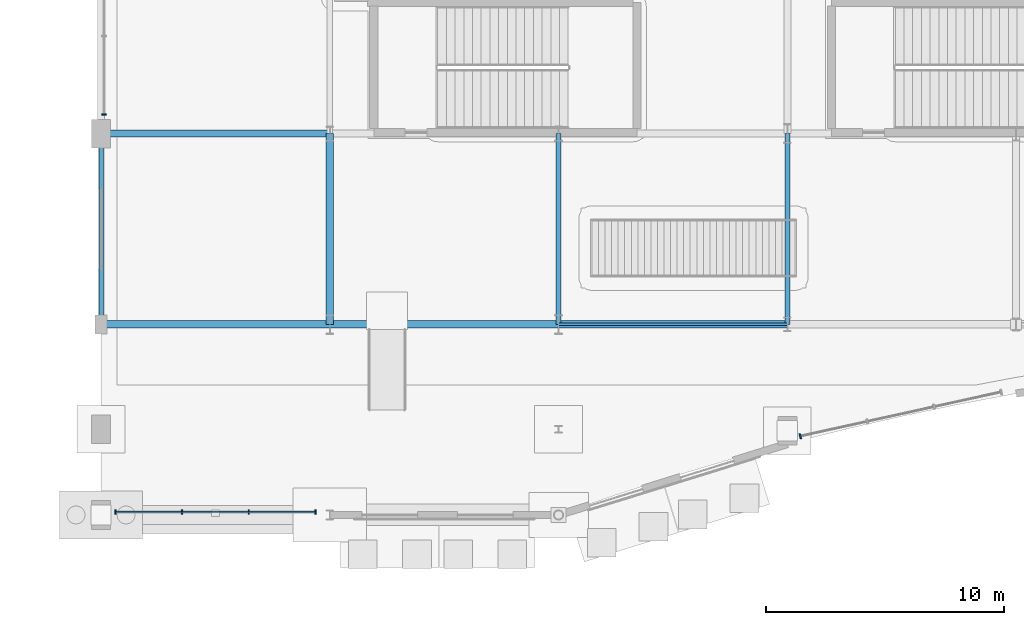
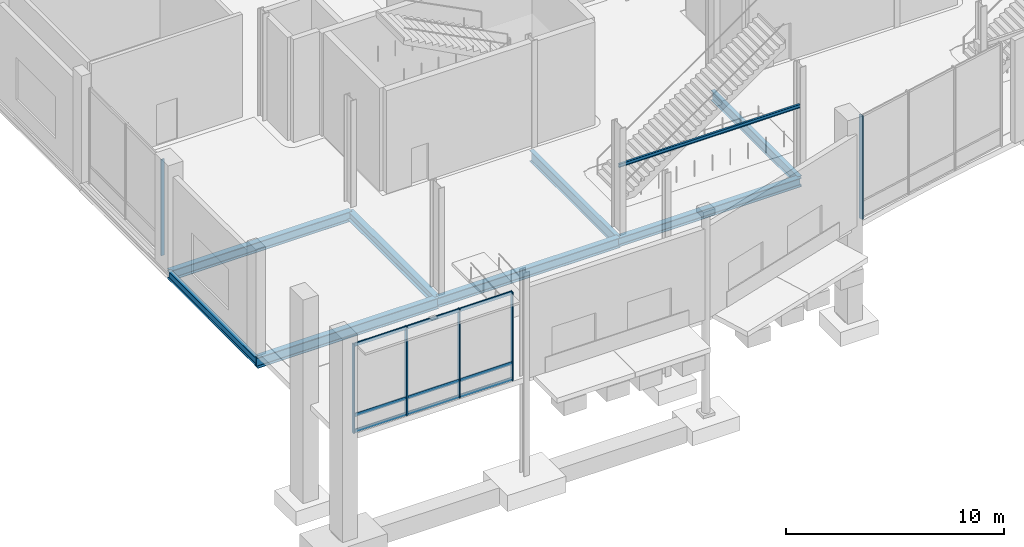
# One storey, part 33 of 124: 9 beams, 9 members, 3 elements without a shape of their own.
"""IFC4 building model written with IfcOpenShell, lengths in metres."""

from ifc_helpers import new_model, si_unit, direction, frame, origin, origin_2d, place, context, subcontext, project, spatial, rectangle, i_section, extrude, material, material_profile, profile_set, type_object, element, aggregate, save


model = new_model("IFC4")

# Units and contexts
model_context = context("Model", 3, precision=1e-05, world=origin(), true_north=direction((0.0, 1.0)))
body_context = subcontext(model_context, "Body", "Model", "MODEL_VIEW")
ifc_project = project(units=[si_unit("LENGTHUNIT", "METRE"), si_unit("AREAUNIT", "SQUARE_METRE"), si_unit("VOLUMEUNIT", "CUBIC_METRE"), si_unit("PLANEANGLEUNIT", "RADIAN"), si_unit("MASSUNIT", "GRAM", prefix="KILO")], contexts=[model_context])

# Site, building, storey
site_placement = place(None, origin())
site = spatial("IfcSite", under=ifc_project, at=site_placement, CompositionType="ELEMENT")
building_placement = place(site_placement, origin())
building = spatial("IfcBuilding", under=site, at=building_placement, Name="Danafjord Basin Convention Centre", CompositionType="ELEMENT")
storey_placement = place(building_placement, origin())
storey = spatial("IfcBuildingStorey", under=building, at=storey_placement, Name="L00", CompositionType="ELEMENT", Elevation=0.0)

# Beams
ifc_material_1 = material(Name="Steel S355", Category="steel")
ifc_material_profile_1 = material_profile(ifc_material_1, i_section(OverallWidth=0.300048828125, OverallDepth=0.5, WebThickness=0.014404296875, FlangeThickness=0.028076171875, FilletRadius=0.027099609375, at=origin_2d()), Name="HEB 500")
ifc_profile_set_1 = profile_set([ifc_material_profile_1], Name="Steel S355")
beam_type_1 = type_object("IfcBeamType", Name="BEAM-BM-HEB500", PredefinedType="BEAM", material=ifc_profile_set_1)
beam_1_placement = place(storey_placement, frame((19.199951171875, 8.0, -0.56005859375), z_axis=(1.0, 0.0, 0.0), x_axis=(0.0, 1.0, 0.0)))
element("IfcBeam", 1, at=beam_1_placement, inside=storey, type_object=beam_type_1, Name="L00 girder BM-HEB500", PredefinedType="BEAM", context=body_context, shape_type="SweptSolid", body=[
    extrude(i_section(OverallWidth=0.300048828125, OverallDepth=0.5, WebThickness=0.014404296875, FlangeThickness=0.028076171875, FilletRadius=0.027099609375, at=origin_2d()), origin(), (0.0, 0.0, 1.0), 9.60009765625),
])
beam_2_placement = place(storey_placement, frame((9.60009765625, 8.0, -0.56005859375), z_axis=(0.0, 1.0, 0.0), x_axis=(-1.0, 0.0, 0.0)))
element("IfcBeam", 2, at=beam_2_placement, inside=storey, type_object=beam_type_1, Name="L00 transverse girder BM-HEB500", PredefinedType="BEAM", context=body_context, shape_type="SweptSolid", body=[
    extrude(i_section(OverallWidth=0.300048828125, OverallDepth=0.5, WebThickness=0.014404296875, FlangeThickness=0.028076171875, FilletRadius=0.027099609375, at=origin_2d()), origin(), (0.0, 0.0, 1.0), 8.0),
])
ifc_material_profile_2 = material_profile(ifc_material_1, i_section(OverallWidth=0.300048828125, OverallDepth=0.550048828125, WebThickness=0.014892578125, FlangeThickness=0.029052734375, FilletRadius=0.027099609375, at=origin_2d()), Name="HEB 550")
ifc_profile_set_2 = profile_set([ifc_material_profile_2], Name="Steel S355")
beam_type_2 = type_object("IfcBeamType", Name="BEAM-BM-HEB550", PredefinedType="BEAM", material=ifc_profile_set_2)
beam_3_placement = place(storey_placement, frame((0.0, 16.0, -0.5849609375), z_axis=(1.0, 0.0, 0.0), x_axis=(0.0, 1.0, 0.0)))
element("IfcBeam", 3, at=beam_3_placement, inside=storey, type_object=beam_type_2, Name="L00 girder BM-HEB550", PredefinedType="BEAM", context=body_context, shape_type="SweptSolid", body=[
    extrude(i_section(OverallWidth=0.300048828125, OverallDepth=0.550048828125, WebThickness=0.014892578125, FlangeThickness=0.029052734375, FilletRadius=0.027099609375, at=origin_2d()), origin(), (0.0, 0.0, 1.0), 9.60009765625),
])
beam_4_placement = place(storey_placement, frame((9.60009765625, 8.0, -0.5849609375), z_axis=(1.0, 0.0, 0.0), x_axis=(0.0, 1.0, 0.0)))
element("IfcBeam", 4, at=beam_4_placement, inside=storey, type_object=beam_type_2, Name="L00 girder BM-HEB550", PredefinedType="BEAM", context=body_context, shape_type="SweptSolid", body=[
    extrude(i_section(OverallWidth=0.300048828125, OverallDepth=0.550048828125, WebThickness=0.014892578125, FlangeThickness=0.029052734375, FilletRadius=0.027099609375, at=origin_2d()), origin(), (0.0, 0.0, 1.0), 9.599853515625),
])
ifc_material_profile_3 = material_profile(ifc_material_1, i_section(OverallWidth=0.300048828125, OverallDepth=0.60009765625, WebThickness=0.015380859375, FlangeThickness=0.030029296875, FilletRadius=0.027099609375, at=origin_2d()), Name="HEB 600")
ifc_profile_set_3 = profile_set([ifc_material_profile_3], Name="Steel S355")
beam_type_3 = type_object("IfcBeamType", Name="BEAM-BM-HEB600", PredefinedType="BEAM", material=ifc_profile_set_3)
beam_5_placement = place(storey_placement, frame((0.0, 8.0, -0.610107421875), z_axis=(1.0, 0.0, 0.0), x_axis=(0.0, 1.0, 0.0)))
element("IfcBeam", 5, at=beam_5_placement, inside=storey, type_object=beam_type_3, Name="L00 girder BM-HEB600", PredefinedType="BEAM", context=body_context, shape_type="SweptSolid", body=[
    extrude(i_section(OverallWidth=0.300048828125, OverallDepth=0.60009765625, WebThickness=0.015380859375, FlangeThickness=0.030029296875, FilletRadius=0.027099609375, at=origin_2d()), origin(), (0.0, 0.0, 1.0), 9.60009765625),
])
ifc_material_profile_4 = material_profile(ifc_material_1, i_section(OverallWidth=0.2099609375, OverallDepth=0.550048828125, WebThickness=0.010986328125, FlangeThickness=0.01708984375, FilletRadius=0.02392578125, at=origin_2d()), Name="IPE 550")
ifc_profile_set_4 = profile_set([ifc_material_profile_4], Name="Steel S355")
beam_type_4 = type_object("IfcBeamType", Name="BEAM-BM-IPE550", PredefinedType="BEAM", material=ifc_profile_set_4)
beam_6_placement = place(storey_placement, frame((28.800048828125, 8.0, -0.5849609375), z_axis=(0.0, 1.0, 0.0), x_axis=(-1.0, 0.0, 0.0)))
element("IfcBeam", 6, at=beam_6_placement, inside=storey, type_object=beam_type_4, Name="L00 transverse girder BM-IPE550", PredefinedType="BEAM", context=body_context, shape_type="SweptSolid", body=[
    extrude(i_section(OverallWidth=0.2099609375, OverallDepth=0.550048828125, WebThickness=0.010986328125, FlangeThickness=0.01708984375, FilletRadius=0.02392578125, at=origin_2d()), origin(), (0.0, 0.0, 1.0), 8.0),
])
ifc_material_profile_5 = material_profile(ifc_material_1, i_section(OverallWidth=0.219970703125, OverallDepth=0.60009765625, WebThickness=0.011962890625, FlangeThickness=0.01904296875, FilletRadius=0.02392578125, at=origin_2d()), Name="IPE 600")
ifc_profile_set_5 = profile_set([ifc_material_profile_5], Name="Steel S355")
beam_type_5 = type_object("IfcBeamType", Name="BEAM-BM-IPE600", PredefinedType="BEAM", material=ifc_profile_set_5)
beam_7_placement = place(storey_placement, frame((19.199951171875, 8.0, -0.610107421875), z_axis=(0.0, 1.0, 0.0), x_axis=(-1.0, 0.0, 0.0)))
element("IfcBeam", 7, at=beam_7_placement, inside=storey, type_object=beam_type_5, Name="L00 transverse girder BM-IPE600", PredefinedType="BEAM", context=body_context, shape_type="SweptSolid", body=[
    extrude(i_section(OverallWidth=0.219970703125, OverallDepth=0.60009765625, WebThickness=0.011962890625, FlangeThickness=0.01904296875, FilletRadius=0.02392578125, at=origin_2d()), origin(), (0.0, 0.0, 1.0), 8.0),
])
ifc_material_profile_6 = material_profile(ifc_material_1, i_section(OverallWidth=0.10009765625, OverallDepth=0.199951171875, WebThickness=0.005615234375, FlangeThickness=0.008544921875, FilletRadius=0.011962890625, at=origin_2d()), Name="IPE 200")
ifc_profile_set_6 = profile_set([ifc_material_profile_6], Name="Steel S355")
beam_type_6 = type_object("IfcBeamType", Name="BEAM-LN-IPE200", PredefinedType="LINTEL", material=ifc_profile_set_6)
beam_8_placement = place(storey_placement, frame((19.199951171875, 8.0, 3.64990234375), z_axis=(1.0, 0.0, 0.0), x_axis=(0.0, 1.0, 0.0)))
element("IfcBeam", 8, at=beam_8_placement, inside=storey, type_object=beam_type_6, Name="L00 structural portal lintel LN-IPE200", PredefinedType="LINTEL", context=body_context, shape_type="SweptSolid", body=[
    extrude(i_section(OverallWidth=0.10009765625, OverallDepth=0.199951171875, WebThickness=0.005615234375, FlangeThickness=0.008544921875, FilletRadius=0.011962890625, at=origin_2d()), origin(), (0.0, 0.0, 1.0), 9.60009765625),
])
ifc_material_profile_7 = material_profile(ifc_material_1, i_section(OverallWidth=0.18994140625, OverallDepth=0.449951171875, WebThickness=0.009521484375, FlangeThickness=0.0146484375, FilletRadius=0.02099609375, at=origin_2d()), Name="IPE 450")
ifc_profile_set_7 = profile_set([ifc_material_profile_7], Name="Steel S355")
beam_type_7 = type_object("IfcBeamType", Name="BEAM-SP-IPE450", PredefinedType="SPANDREL", material=ifc_profile_set_7)
beam_9_placement = place(storey_placement, frame((0.0, 8.0, -0.534912109375), z_axis=(0.0, 1.0, 0.0), x_axis=(-1.0, 0.0, 0.0)))
element("IfcBeam", 9, at=beam_9_placement, inside=storey, type_object=beam_type_7, Name="L00 transverse girder SP-IPE450", PredefinedType="SPANDREL", context=body_context, shape_type="SweptSolid", body=[
    extrude(i_section(OverallWidth=0.18994140625, OverallDepth=0.449951171875, WebThickness=0.009521484375, FlangeThickness=0.0146484375, FilletRadius=0.02099609375, at=origin_2d()), origin(), (0.0, 0.0, 1.0), 8.0),
])

# Curtain wall, members
ifc_material_2 = material(Name="Anodised aluminium and triple glazing", Category="aluminium")
curtain_wall_type_1 = type_object("IfcCurtainWallType", Name="CW-CW-HARB", PredefinedType="NOTDEFINED", material=ifc_material_2)
curtain_wall_1_placement = place(storey_placement, origin())
curtain_wall_1 = element("IfcCurtainWall", 10, at=curtain_wall_1_placement, inside=storey, type_object=curtain_wall_type_1, Name="L00 CW-HARB unitised curtain wall bay 11", PredefinedType="NOTDEFINED")
ifc_material_3 = material(Name="Anodised aluminium EN AW-6060", Category="aluminium")
ifc_material_profile_8 = material_profile(ifc_material_3, rectangle(XDim=0.06005859375, YDim=0.179931640625, at=origin_2d()), Name="MULL 60x180")
ifc_profile_set_8 = profile_set([ifc_material_profile_8], Name="Anodised aluminium EN AW-6060")
member_type_1 = type_object("IfcMemberType", Name="MEM-ML-180", PredefinedType="MULLION", material=ifc_profile_set_8)
member_1_placement = place(storey_placement, frame((0.60009765625, 0.1201171875, -0.02490234375), z_axis=(0.0, 0.0, 1.0), x_axis=(1.0, 0.0, 0.0)))
member_1 = element("IfcMember", 11, at=member_1_placement, type_object=member_type_1, Name="CW-L00-011 mullion 1", PredefinedType="MULLION", context=body_context, shape_type="SweptSolid", body=[
    extrude(rectangle(XDim=0.06005859375, YDim=0.179931640625, at=origin_2d()), origin(), (0.0, 0.0, 1.0), 4.98486328125),
])
member_2_placement = place(storey_placement, frame((3.39990234375, 0.1201171875, -0.02490234375), z_axis=(0.0, 0.0, 1.0), x_axis=(1.0, 0.0, 0.0)))
member_2 = element("IfcMember", 12, at=member_2_placement, type_object=member_type_1, Name="CW-L00-011 mullion 2", PredefinedType="MULLION", context=body_context, shape_type="SweptSolid", body=[
    extrude(rectangle(XDim=0.06005859375, YDim=0.179931640625, at=origin_2d()), origin(), (0.0, 0.0, 1.0), 4.98486328125),
])
member_3_placement = place(storey_placement, frame((6.199951171875, 0.1201171875, -0.02490234375), z_axis=(0.0, 0.0, 1.0), x_axis=(1.0, 0.0, 0.0)))
member_3 = element("IfcMember", 13, at=member_3_placement, type_object=member_type_1, Name="CW-L00-011 mullion 3", PredefinedType="MULLION", context=body_context, shape_type="SweptSolid", body=[
    extrude(rectangle(XDim=0.06005859375, YDim=0.179931640625, at=origin_2d()), origin(), (0.0, 0.0, 1.0), 4.98486328125),
])
member_4_placement = place(storey_placement, frame((9.0, 0.1201171875, -0.02490234375), z_axis=(0.0, 0.0, 1.0), x_axis=(1.0, 0.0, 0.0)))
member_4 = element("IfcMember", 14, at=member_4_placement, type_object=member_type_1, Name="CW-L00-011 mullion 4", PredefinedType="MULLION", context=body_context, shape_type="SweptSolid", body=[
    extrude(rectangle(XDim=0.06005859375, YDim=0.179931640625, at=origin_2d()), origin(), (0.0, 0.0, 1.0), 4.98486328125),
])

# Curtain wall, member
curtain_wall_type_2 = type_object("IfcCurtainWallType", Name="CW-CW-TERR", PredefinedType="NOTDEFINED", material=ifc_material_2)
curtain_wall_2_placement = place(storey_placement, origin())
curtain_wall_2 = element("IfcCurtainWall", 15, at=curtain_wall_2_placement, inside=storey, type_object=curtain_wall_type_2, Name="L00 CW-TERR unitised curtain wall bay 41", PredefinedType="NOTDEFINED")
member_5_placement = place(storey_placement, frame((0.1201171875, 16.800048828125, -0.02490234375), z_axis=(0.0, 0.0, 1.0), x_axis=(0.0, -1.0, 0.0)))
member_5 = element("IfcMember", 16, at=member_5_placement, type_object=member_type_1, Name="CW-L00-041 mullion 3", PredefinedType="MULLION", context=body_context, shape_type="SweptSolid", body=[
    extrude(rectangle(XDim=0.06005859375, YDim=0.179931640625, at=origin_2d()), origin(), (0.0, 0.0, 1.0), 5.385009765625),
])
aggregate(curtain_wall_2, [member_5])

curtain_wall_3_placement = place(storey_placement, origin())
curtain_wall_3 = element("IfcCurtainWall", 17, at=curtain_wall_3_placement, inside=storey, type_object=curtain_wall_type_1, Name="L00 CW-HARB unitised curtain wall bay 12", PredefinedType="NOTDEFINED")
ifc_material_profile_9 = material_profile(ifc_material_3, rectangle(XDim=0.06494140625, YDim=0.219970703125, at=origin_2d()), Name="MULL 65x220")
ifc_profile_set_9 = profile_set([ifc_material_profile_9], Name="Anodised aluminium EN AW-6060")
member_type_2 = type_object("IfcMemberType", Name="MEM-ML-220", PredefinedType="MULLION", material=ifc_profile_set_9)
member_6_placement = place(storey_placement, frame((29.343505859375, 3.30224609375, -0.02490234375), z_axis=(0.0, 0.0, 1.0), x_axis=(0.976623114167, 0.214958816695, 0.0)))
member_6 = element("IfcMember", 18, at=member_6_placement, type_object=member_type_2, Name="CW-L00-012 mullion 1", PredefinedType="MULLION", context=body_context, shape_type="SweptSolid", body=[
    extrude(rectangle(XDim=0.06494140625, YDim=0.219970703125, at=origin_2d()), origin(), (0.0, 0.0, 1.0), 5.804931640625),
])
aggregate(curtain_wall_3, [member_6])

# Member
ifc_material_profile_10 = material_profile(ifc_material_3, rectangle(XDim=0.06494140625, YDim=0.18994140625, at=origin_2d()), Name="TRAN 65x190")
ifc_profile_set_10 = profile_set([ifc_material_profile_10], Name="Anodised aluminium EN AW-6060")
member_type_3 = type_object("IfcMemberType", Name="MEM-TR-190", PredefinedType="USERDEFINED", material=ifc_profile_set_10)
member_7_placement = place(storey_placement, frame((0.60009765625, 0.1201171875, 0.06005859375), z_axis=(1.0, 0.0, 0.0), x_axis=(0.0, 1.0, 0.0)))
member_7 = element("IfcMember", 19, at=member_7_placement, type_object=member_type_3, Name="CW-L00-011 transom 1", ObjectType="TRANSOM", PredefinedType="USERDEFINED", context=body_context, shape_type="SweptSolid", body=[
    extrude(rectangle(XDim=0.06494140625, YDim=0.18994140625, at=origin_2d()), origin(), (0.0, 0.0, 1.0), 8.39990234375),
])

member_8_placement = place(storey_placement, frame((0.60009765625, 0.1201171875, 0.949951171875), z_axis=(1.0, 0.0, 0.0), x_axis=(0.0, 1.0, 0.0)))
member_8 = element("IfcMember", 20, at=member_8_placement, type_object=member_type_3, Name="CW-L00-011 transom 2", ObjectType="TRANSOM", PredefinedType="USERDEFINED", context=body_context, shape_type="SweptSolid", body=[
    extrude(rectangle(XDim=0.06494140625, YDim=0.18994140625, at=origin_2d()), origin(), (0.0, 0.0, 1.0), 8.39990234375),
])

member_9_placement = place(storey_placement, frame((0.60009765625, 0.1201171875, 4.889892578125), z_axis=(1.0, 0.0, 0.0), x_axis=(0.0, 1.0, 0.0)))
member_9 = element("IfcMember", 21, at=member_9_placement, type_object=member_type_3, Name="CW-L00-011 transom 3", ObjectType="TRANSOM", PredefinedType="USERDEFINED", context=body_context, shape_type="SweptSolid", body=[
    extrude(rectangle(XDim=0.06494140625, YDim=0.18994140625, at=origin_2d()), origin(), (0.0, 0.0, 1.0), 8.39990234375),
])

aggregate(curtain_wall_1, [member_1, member_2, member_3, member_4, member_7, member_8, member_9])

save(model, "model.ifc")
